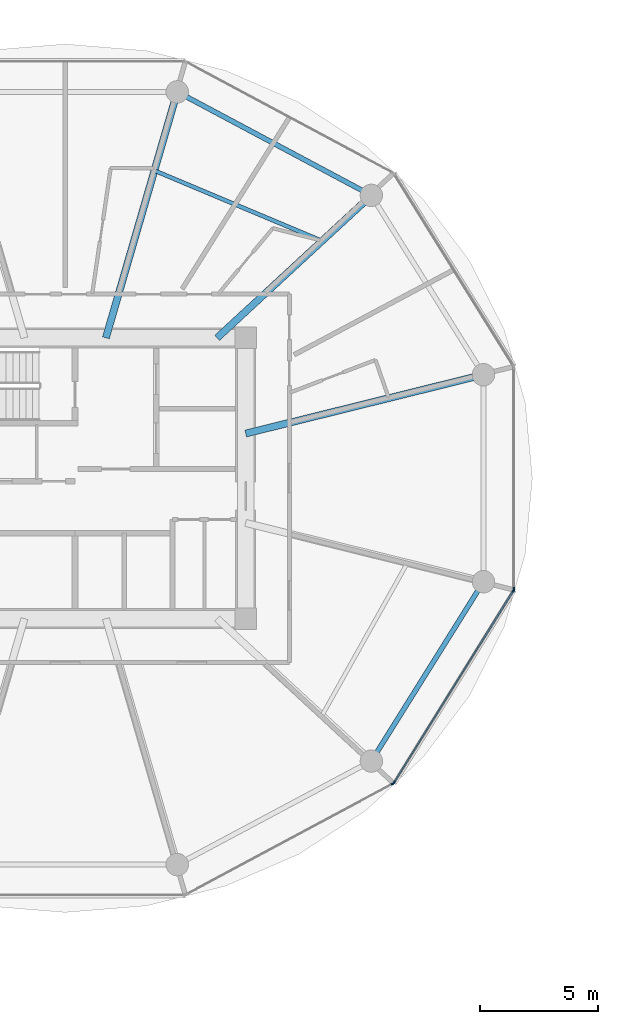
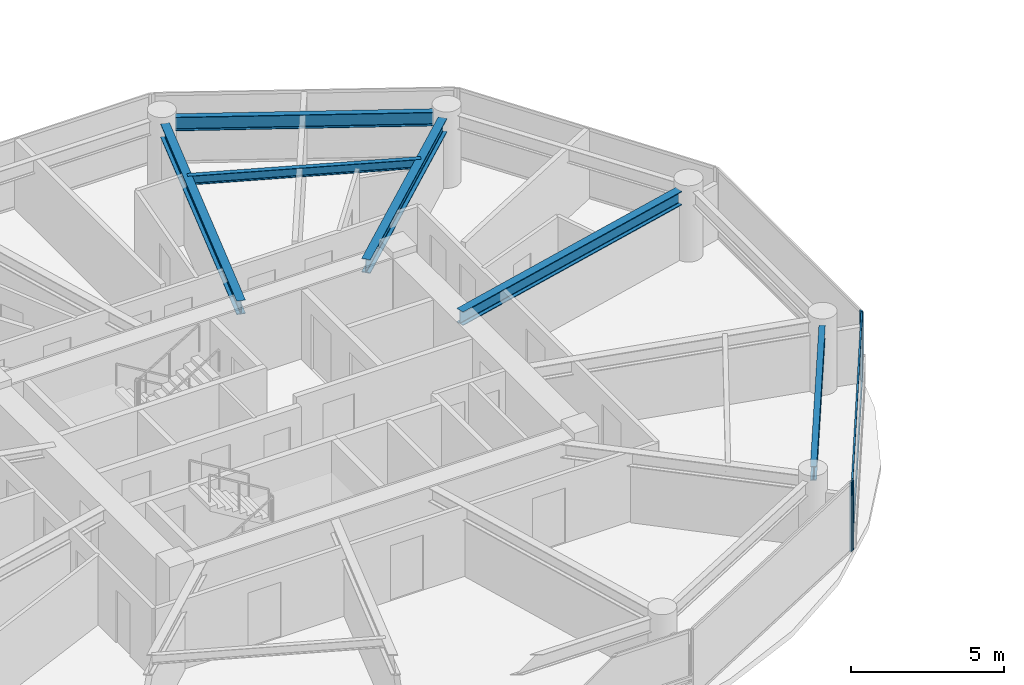
# One storey, part 5 of 27: 6 beams, 6 members, 3 elements without a shape of their own.
"""IFC4 building model written with IfcOpenShell, lengths in metres."""

from ifc_helpers import new_model, si_unit, direction, frame, origin, origin_2d, place, context, subcontext, project, spatial, rectangle, i_section, extrude, source, transform, mapped, material, layer, layer_set, material_profile, profile_set, type_object, type_shapes, element, aggregate, save


model = new_model("IFC4")

# Units and contexts
model_context = context("Model", 3, precision=1e-05, world=origin(), true_north=direction((0.0, 1.0)))
body_context = subcontext(model_context, "Body", "Model", "MODEL_VIEW")
ifc_project = project(units=[si_unit("LENGTHUNIT", "METRE"), si_unit("AREAUNIT", "SQUARE_METRE"), si_unit("VOLUMEUNIT", "CUBIC_METRE"), si_unit("PLANEANGLEUNIT", "RADIAN"), si_unit("MASSUNIT", "GRAM", prefix="KILO")], contexts=[model_context])

# Site, building, storey
site_placement = place(None, origin())
site = spatial("IfcSite", under=ifc_project, at=site_placement, CompositionType="ELEMENT")
building_placement = place(site_placement, origin())
building = spatial("IfcBuilding", under=site, at=building_placement, Name="Norrkilde Senior Care Towers", CompositionType="ELEMENT")
storey_placement = place(building_placement, frame((0.0, 0.0, 30.75)))
storey = spatial("IfcBuildingStorey", under=building, at=storey_placement, Name="L08", CompositionType="ELEMENT", Elevation=30.75)

# Beams
ifc_material_1 = material(Name="Steel S355", Category="steel")
ifc_material_profile_1 = material_profile(ifc_material_1, i_section(OverallWidth=0.2099609375, OverallDepth=0.550048828125, WebThickness=0.010986328125, FlangeThickness=0.01708984375, FilletRadius=0.02392578125, at=origin_2d()), Name="IPE 550")
ifc_profile_set_1 = profile_set([ifc_material_profile_1], Name="Steel S355")
beam_type_1 = type_object("IfcBeamType", Name="Perimeter Ring Spandrel Z1 IPE550", PredefinedType="SPANDREL", material=ifc_profile_set_1)
shared_shape_1 = source(origin(), body_context, "Body", "SweptSolid", [
    extrude(i_section(OverallWidth=0.2099609375, OverallDepth=0.550048828125, WebThickness=0.010986328125, FlangeThickness=0.01708984375, FilletRadius=0.02392578125, at=origin_2d()), origin(), (0.0, 0.0, 1.0), 8.090576171875),
])
beam_1_placement = place(storey_placement, frame((-14.7939453125, -11.61669921875, 2.514892578125), z_axis=(0.530004364821, 0.84799491347, 0.0), x_axis=(-0.84799491347, 0.530004364821, 0.0)))
element("IfcBeam", 1, at=beam_1_placement, inside=storey, type_object=beam_type_1, Name="L08 Drum W Perimeter Spandrel 11", PredefinedType="SPANDREL", context=body_context, shape_type="MappedRepresentation", body=[
    mapped(shared_shape_1, transform((0.0, 0.0, 0.0), x_axis=(1.0, 0.0, 0.0), y_axis=(0.0, 1.0, 0.0), z_axis=(0.0, 0.0, 1.0), scale=1.0)),
])
ifc_material_profile_2 = material_profile(ifc_material_1, i_section(OverallWidth=0.300048828125, OverallDepth=0.550048828125, WebThickness=0.014892578125, FlangeThickness=0.029052734375, FilletRadius=0.027099609375, at=origin_2d()), Name="HEB 550")
ifc_profile_set_2 = profile_set([ifc_material_profile_2], Name="Steel S355")
beam_type_2 = type_object("IfcBeamType", Name="Radial Floor Beam Z1 HEB550", PredefinedType="BEAM", material=ifc_profile_set_2)
shared_shape_2 = source(origin(), body_context, "Body", "SweptSolid", [
    extrude(i_section(OverallWidth=0.300048828125, OverallDepth=0.550048828125, WebThickness=0.014892578125, FlangeThickness=0.029052734375, FilletRadius=0.027099609375, at=origin_2d()), origin(), (0.0, 0.0, 1.0), 9.94384765625),
])
beam_2_placement = place(storey_placement, frame((-20.35009765625, 1.893310546875, 2.514892578125), z_axis=(0.970707425182, 0.240264634718, 0.0), x_axis=(-0.240264634718, 0.970707425182, 0.0)))
element("IfcBeam", 2, at=beam_2_placement, inside=storey, type_object=beam_type_2, Name="L08 Drum W Radial Floor Beam 01", PredefinedType="BEAM", context=body_context, shape_type="MappedRepresentation", body=[
    mapped(shared_shape_2, transform((0.0, 0.0, 0.0), x_axis=(1.0, 0.0, 0.0), y_axis=(0.0, 1.0, 0.0), z_axis=(0.0, 0.0, 1.0), scale=1.0)),
])
shared_shape_3 = source(origin(), body_context, "Body", "SweptSolid", [
    extrude(i_section(OverallWidth=0.2099609375, OverallDepth=0.550048828125, WebThickness=0.010986328125, FlangeThickness=0.01708984375, FilletRadius=0.02392578125, at=origin_2d()), origin(), (0.0, 0.0, 1.0), 8.452880859375),
])
type_shapes(beam_type_1, [shared_shape_1, shared_shape_3])
beam_3_placement = place(storey_placement, frame((-15.408447265625, 12.190185546875, 2.514892578125), z_axis=(-0.882368931134, 0.470558252898, 0.0), x_axis=(-0.470558252898, -0.882368931134, 0.0)))
element("IfcBeam", 3, at=beam_3_placement, inside=storey, type_object=beam_type_1, Name="L08 Drum W Perimeter Spandrel 02", PredefinedType="SPANDREL", context=body_context, shape_type="MappedRepresentation", body=[
    mapped(shared_shape_3, transform((0.0, 0.0, 0.0), x_axis=(1.0, 0.0, 0.0), y_axis=(0.0, 1.0, 0.0), z_axis=(0.0, 0.0, 1.0), scale=1.0)),
])
shared_shape_4 = source(origin(), body_context, "Body", "SweptSolid", [
    extrude(i_section(OverallWidth=0.300048828125, OverallDepth=0.550048828125, WebThickness=0.014892578125, FlangeThickness=0.029052734375, FilletRadius=0.027099609375, at=origin_2d()), origin(), (0.0, 0.0, 1.0), 8.459716796875),
])
beam_4_placement = place(storey_placement, frame((-21.55859375, 5.949951171875, 2.514892578125), z_axis=(0.734573269108, 0.678529374686, 0.0), x_axis=(-0.678529374686, 0.734573269108, 0.0)))
element("IfcBeam", 4, at=beam_4_placement, inside=storey, type_object=beam_type_2, Name="L08 Drum W Radial Floor Beam 02", PredefinedType="BEAM", context=body_context, shape_type="MappedRepresentation", body=[
    mapped(shared_shape_4, transform((0.0, 0.0, 0.0), x_axis=(1.0, 0.0, 0.0), y_axis=(0.0, 1.0, 0.0), z_axis=(0.0, 0.0, 1.0), scale=1.0)),
])
shared_shape_5 = source(origin(), body_context, "Body", "SweptSolid", [
    extrude(i_section(OverallWidth=0.300048828125, OverallDepth=0.550048828125, WebThickness=0.014892578125, FlangeThickness=0.029052734375, FilletRadius=0.027099609375, at=origin_2d()), origin(), (0.0, 0.0, 1.0), 10.4169921875),
])
type_shapes(beam_type_2, [shared_shape_2, shared_shape_4, shared_shape_5])
beam_5_placement = place(storey_placement, frame((-26.27392578125, 5.949951171875, 2.514892578125), z_axis=(0.278591250785, 0.960409764104, 0.0), x_axis=(-0.960409764104, 0.278591250785, 0.0)))
element("IfcBeam", 5, at=beam_5_placement, inside=storey, type_object=beam_type_2, Name="L08 Drum W Radial Floor Beam 03", PredefinedType="BEAM", context=body_context, shape_type="MappedRepresentation", body=[
    mapped(shared_shape_5, transform((0.0, 0.0, 0.0), x_axis=(1.0, 0.0, 0.0), y_axis=(0.0, 1.0, 0.0), z_axis=(0.0, 0.0, 1.0), scale=1.0)),
])
ifc_material_profile_3 = material_profile(ifc_material_1, i_section(OverallWidth=0.169921875, OverallDepth=0.360107421875, WebThickness=0.008056640625, FlangeThickness=0.0126953125, FilletRadius=0.01806640625, at=origin_2d()), Name="IPE 360")
ifc_profile_set_3 = profile_set([ifc_material_profile_3], Name="Steel S355")
beam_type_3 = type_object("IfcBeamType", Name="Secondary Floor Joist IPE360", PredefinedType="JOIST", material=ifc_profile_set_3)
shared_shape_6 = source(origin(), body_context, "Body", "SweptSolid", [
    extrude(i_section(OverallWidth=0.169921875, OverallDepth=0.360107421875, WebThickness=0.008056640625, FlangeThickness=0.0126953125, FilletRadius=0.01806640625, at=origin_2d()), origin(), (0.0, 0.0, 1.0), 7.703857421875),
])
type_shapes(beam_type_3, [shared_shape_6])
beam_6_placement = place(storey_placement, frame((-17.115478515625, 10.05419921875, 2.610107421875), z_axis=(-0.921982784465, 0.387230868023, 0.0), x_axis=(-0.387230868023, -0.921982784465, 0.0)))
element("IfcBeam", 6, at=beam_6_placement, inside=storey, type_object=beam_type_3, Name="L08 Drum W Secondary Floor Joist 1", PredefinedType="JOIST", context=body_context, shape_type="MappedRepresentation", body=[
    mapped(shared_shape_6, transform((0.0, 0.0, 0.0), x_axis=(1.0, 0.0, 0.0), y_axis=(0.0, 1.0, 0.0), z_axis=(0.0, 0.0, 1.0), scale=1.0)),
])

# Curtain wall, member
ifc_material_2 = material(Name="Triple Low-E Insulated Glazing", Category="glass")
ifc_layer = layer(ifc_material_2, 0.199951171875)
ifc_layer_set = layer_set([ifc_layer], Name="Triple Low-E Insulated Glazing")
curtain_wall_type = type_object("IfcCurtainWallType", Name="CW2 Zone 1 Memory Care Curtain Wall", PredefinedType="NOTDEFINED", material=ifc_layer_set)
curtain_wall_1_placement = place(storey_placement, origin())
curtain_wall_1 = element("IfcCurtainWall", 7, at=curtain_wall_1_placement, inside=storey, type_object=curtain_wall_type, Name="L08 Drum W Curtain Wall 09", PredefinedType="NOTDEFINED")
ifc_material_3 = material(Name="Anodised Aluminium", Category="aluminium")
ifc_material_profile_4 = material_profile(ifc_material_3, rectangle(XDim=0.06494140625, YDim=0.159912109375, at=origin_2d()), Name="ALU MULL 65x160")
ifc_profile_set_4 = profile_set([ifc_material_profile_4], Name="Anodised Aluminium")
member_type_1 = type_object("IfcMemberType", Name="Curtain Wall Mullion Z1-Z2 65x160", PredefinedType="MULLION", material=ifc_profile_set_4)
shared_shape_7 = source(origin(), body_context, "Body", "SweptSolid", [
    extrude(rectangle(XDim=0.06494140625, YDim=0.159912109375, at=origin_2d()), origin(), (0.0, 0.0, 1.0), 2.7900390625),
])
type_shapes(member_type_1, [shared_shape_7])
member_1_placement = place(storey_placement, frame((-14.11279296875, -12.941162109375, 0.0), z_axis=(0.0, 0.0, 1.0), x_axis=(0.472607802456, -0.881272866403, 0.0)))
member_1 = element("IfcMember", 8, at=member_1_placement, type_object=member_type_1, Name="CW-2 mullion 1", PredefinedType="MULLION", context=body_context, shape_type="MappedRepresentation", body=[
    mapped(shared_shape_7, transform((0.0, 0.0, 0.0), x_axis=(1.0, 0.0, 0.0), y_axis=(0.0, 1.0, 0.0), z_axis=(0.0, 0.0, 1.0), scale=1.0)),
])
aggregate(curtain_wall_1, [member_1])

# Curtain wall, members
curtain_wall_2_placement = place(storey_placement, origin())
curtain_wall_2 = element("IfcCurtainWall", 9, at=curtain_wall_2_placement, inside=storey, type_object=curtain_wall_type, Name="L08 Drum W Curtain Wall 10", PredefinedType="NOTDEFINED")
member_2_placement = place(storey_placement, frame((-9.0078125, -4.7587890625, 0.0), z_axis=(0.0, 0.0, 1.0), x_axis=(0.849305943117, -0.527900951871, 0.0)))
member_2 = element("IfcMember", 10, at=member_2_placement, type_object=member_type_1, Name="CW-2 mullion 1", PredefinedType="MULLION", context=body_context, shape_type="MappedRepresentation", body=[
    mapped(shared_shape_7, transform((0.0, 0.0, 0.0), x_axis=(1.0, 0.0, 0.0), y_axis=(0.0, 1.0, 0.0), z_axis=(0.0, 0.0, 1.0), scale=1.0)),
])
member_3_placement = place(storey_placement, frame((-14.06689453125, -12.898193359375, 0.0), z_axis=(0.0, 0.0, 1.0), x_axis=(0.849305943117, -0.527900951871, 0.0)))
member_3 = element("IfcMember", 11, at=member_3_placement, type_object=member_type_1, Name="CW-2 mullion 2", PredefinedType="MULLION", context=body_context, shape_type="MappedRepresentation", body=[
    mapped(shared_shape_7, transform((0.0, 0.0, 0.0), x_axis=(1.0, 0.0, 0.0), y_axis=(0.0, 1.0, 0.0), z_axis=(0.0, 0.0, 1.0), scale=1.0)),
])

# Curtain wall, member
curtain_wall_3_placement = place(storey_placement, origin())
curtain_wall_3 = element("IfcCurtainWall", 12, at=curtain_wall_3_placement, inside=storey, type_object=curtain_wall_type, Name="L08 Drum W Curtain Wall 11", PredefinedType="NOTDEFINED")
member_4_placement = place(storey_placement, frame((-8.990478515625, -4.69873046875, 0.0), z_axis=(0.0, 0.0, 1.0), x_axis=(1.0, 0.0, 0.0)))
member_4 = element("IfcMember", 13, at=member_4_placement, type_object=member_type_1, Name="CW-2 mullion 2", PredefinedType="MULLION", context=body_context, shape_type="MappedRepresentation", body=[
    mapped(shared_shape_7, transform((0.0, 0.0, 0.0), x_axis=(1.0, 0.0, 0.0), y_axis=(0.0, 1.0, 0.0), z_axis=(0.0, 0.0, 1.0), scale=1.0)),
])
aggregate(curtain_wall_3, [member_4])

# Member
ifc_material_profile_5 = material_profile(ifc_material_3, rectangle(XDim=0.06005859375, YDim=0.1201171875, at=origin_2d()), Name="ALU TRAN 60x120")
ifc_profile_set_5 = profile_set([ifc_material_profile_5], Name="Anodised Aluminium")
member_type_2 = type_object("IfcMemberType", Name="Curtain Wall Transom Typical 60x120", PredefinedType="USERDEFINED", material=ifc_profile_set_5)
shared_shape_8 = source(origin(), body_context, "Body", "SweptSolid", [
    extrude(rectangle(XDim=0.06005859375, YDim=0.1201171875, at=origin_2d()), origin(), (0.0, 0.0, 1.0), 9.5185546875),
])
type_shapes(member_type_2, [shared_shape_8])
member_5_placement = place(storey_placement, frame((-9.02490234375, -4.786376953125, 0.030029296875), z_axis=(-0.527901620669, -0.849305527413, 0.0), x_axis=(0.849305527413, -0.527901620669, 0.0)))
member_5 = element("IfcMember", 14, at=member_5_placement, type_object=member_type_2, Name="CW-2 transom 1.1", ObjectType="TRANSOM", PredefinedType="USERDEFINED", context=body_context, shape_type="MappedRepresentation", body=[
    mapped(shared_shape_8, transform((0.0, 0.0, 0.0), x_axis=(1.0, 0.0, 0.0), y_axis=(0.0, 1.0, 0.0), z_axis=(0.0, 0.0, 1.0), scale=1.0)),
])

member_6_placement = place(storey_placement, frame((-9.02490234375, -4.786376953125, 2.760009765625), z_axis=(-0.527901620669, -0.849305527413, 0.0), x_axis=(0.849305527413, -0.527901620669, 0.0)))
member_6 = element("IfcMember", 15, at=member_6_placement, type_object=member_type_2, Name="CW-2 transom 1.2", ObjectType="TRANSOM", PredefinedType="USERDEFINED", context=body_context, shape_type="MappedRepresentation", body=[
    mapped(shared_shape_8, transform((0.0, 0.0, 0.0), x_axis=(1.0, 0.0, 0.0), y_axis=(0.0, 1.0, 0.0), z_axis=(0.0, 0.0, 1.0), scale=1.0)),
])

aggregate(curtain_wall_2, [member_2, member_3, member_5, member_6])

save(model, "model.ifc")
